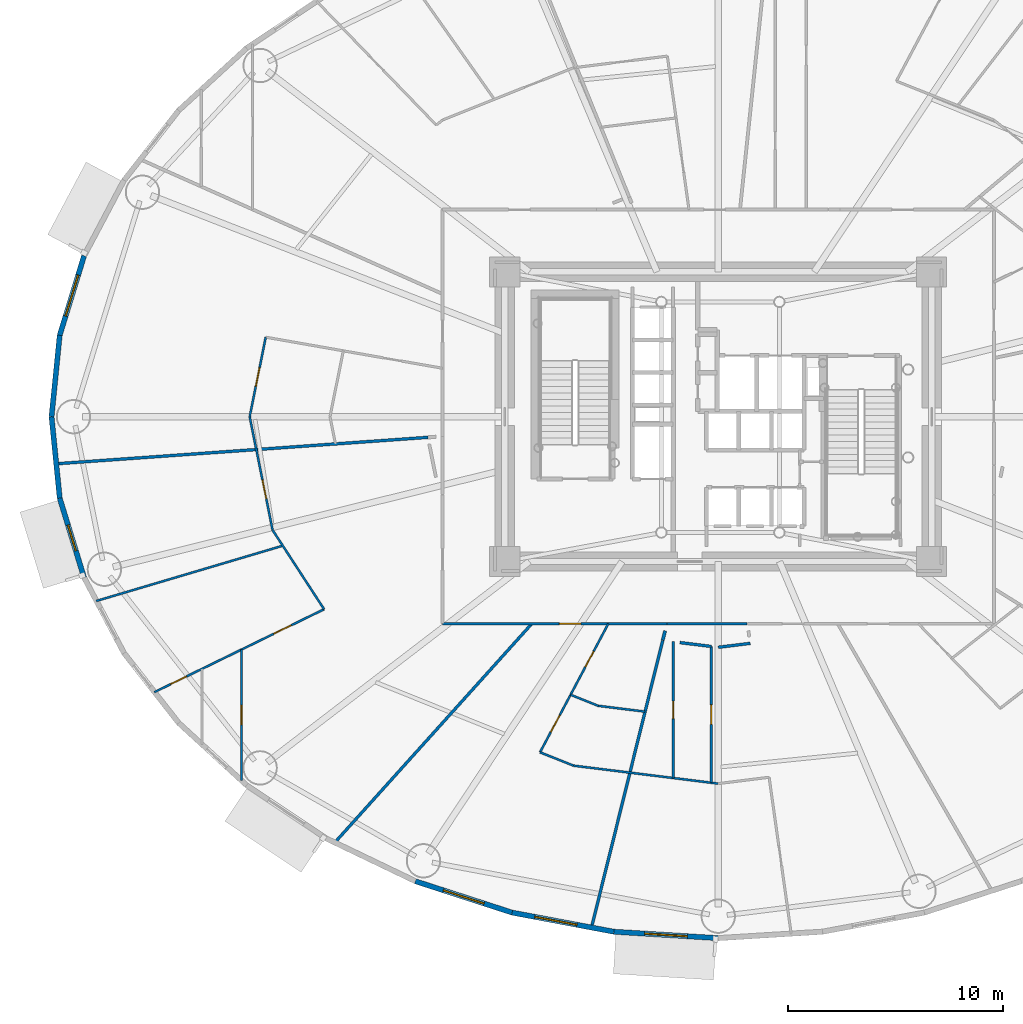
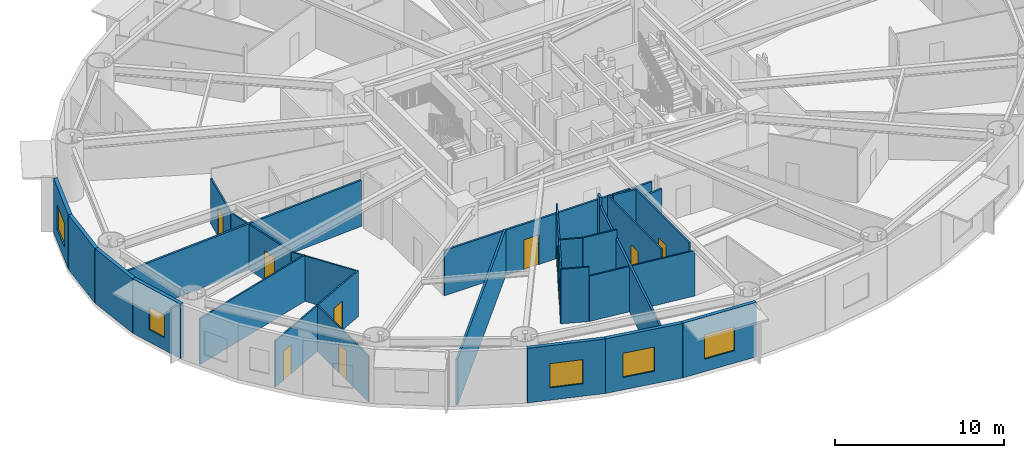
# One storey, part 8 of 21: 29 walls, 10 doors, 5 windows, 15 openings.
"""IFC4 building model written with IfcOpenShell, lengths in metres."""

from ifc_helpers import new_model, si_unit, direction, frame, frame_2d, origin, origin_2d, place, context, subcontext, project, spatial, rectangle, extrude, source, transform, mapped, material, layer, layer_set, type_object, element, fill, save


model = new_model("IFC4")

# Units and contexts
model_context = context("Model", 3, precision=1e-05, world=origin(), true_north=direction((0.0, 1.0)))
body_context = subcontext(model_context, "Body", "Model", "MODEL_VIEW")
ifc_project = project(units=[si_unit("LENGTHUNIT", "METRE"), si_unit("AREAUNIT", "SQUARE_METRE"), si_unit("VOLUMEUNIT", "CUBIC_METRE"), si_unit("PLANEANGLEUNIT", "RADIAN"), si_unit("MASSUNIT", "GRAM", prefix="KILO")], contexts=[model_context])

# Site, building, storey
site_placement = place(None, origin())
site = spatial("IfcSite", under=ifc_project, at=site_placement, CompositionType="ELEMENT")
building_placement = place(site_placement, origin())
building = spatial("IfcBuilding", under=site, at=building_placement, Name="Linh Dai School and Residence Tower", CompositionType="ELEMENT")
storey_placement = place(building_placement, frame((0.0, 0.0, 61.800048828125)))
storey = spatial("IfcBuildingStorey", under=building, at=storey_placement, Name="L14", CompositionType="ELEMENT", Elevation=61.800048828125)

# Wall, opening, window
ifc_material_1 = material(Name="Precast Concrete B45 (C35/45)", Category="concrete")
ifc_layer_1 = layer(ifc_material_1, 0.239990234375)
ifc_layer_set_1 = layer_set([ifc_layer_1], Name="Precast Concrete B45 (C35/45)")
wall_type_1 = type_object("IfcWallType", Name="EW-TC-240", PredefinedType="SOLIDWALL", material=ifc_layer_set_1)
wall_1_placement = place(storey_placement, frame((5.306640625, 30.796875, 0.0), z_axis=(0.0, 0.0, 1.0), x_axis=(0.293111631758, 0.956078224482, 0.0)))
wall_1 = element("IfcWall", 1, at=wall_1_placement, inside=storey, type_object=wall_type_1, Name="L14 Terracotta Exterior Wall 19", PredefinedType="SOLIDWALL", context=body_context, shape_type="SweptSolid", body=[
    extrude(rectangle(XDim=3.874755859375, YDim=0.239990234375, at=frame_2d((1.9375, 0.0))), origin(), (0.0, 0.0, 1.0), 3.949951171875),
])
opening_1_placement = place(wall_1_placement, frame((0.9375, 0.0, 0.89990234375)))
opening_1 = element("IfcOpeningElement", 2, at=opening_1_placement, cuts=wall_1, Name="Opening W1", PredefinedType="OPENING", context=body_context, shape_type="SweptSolid", body=[
    extrude(rectangle(XDim=2.0, YDim=1.75, at=origin_2d()), frame((1.0, 0.1298828125, 0.875), z_axis=(0.0, -1.0, 0.0), x_axis=(1.0, 0.0, 0.0)), (0.0, 0.0, 1.0), 0.260009765625),
])
ifc_material_2 = material(Name="Double Low-E Insulated Glazing", Category="glass")
window_type_1 = type_object("IfcWindowType", Name="WN-RES-2000x1750", PartitioningType="DOUBLE_PANEL_VERTICAL", PredefinedType="WINDOW", material=ifc_material_2)
shared_shape_1 = source(origin(), body_context, "Body", "SweptSolid", [
    extrude(rectangle(XDim=2.0, YDim=1.75, at=origin_2d()), frame((1.0, 0.030029296875, 0.875), z_axis=(0.0, -1.0, 0.0), x_axis=(1.0, 0.0, 0.0)), (0.0, 0.0, 1.0), 0.06005859375),
])
window_1_placement = place(opening_1_placement, origin())
window_1 = element("IfcWindow", 3, at=window_1_placement, inside=storey, type_object=window_type_1, Name="L14 Exterior Window 19.1", OverallHeight=1.75, OverallWidth=2.0, PartitioningType="DOUBLE_PANEL_VERTICAL", PredefinedType="WINDOW", context=body_context, shape_type="MappedRepresentation", body=[
    mapped(shared_shape_1, transform((0.0, 0.0, 0.0), x_axis=(1.0, 0.0, 0.0), y_axis=(0.0, 1.0, 0.0), z_axis=(0.0, 0.0, 1.0), scale=1.0)),
])
fill(opening_1, window_1)

# Walls
for number, where, z_axis, x_axis, name in (
    (4, (4.925048828125, 27.0, 0.0), (0.0, 0.0, 1.0), (0.099997795174, 0.994987658698, 0.0), "L14 Terracotta Exterior Wall 20"),
    (5, (5.306640625, 23.203125, 0.0), (0.0, 0.0, 1.0), (-0.099997795174, 0.994987658698, 0.0), "L14 Terracotta Exterior Wall 21"),
):
    element("IfcWall", number, at=place(storey_placement, frame(where, z_axis=z_axis, x_axis=x_axis)), inside=storey, type_object=wall_type_1, Name=name, PredefinedType="SOLIDWALL", context=body_context, shape_type="SweptSolid", body=[
        extrude(rectangle(XDim=3.81591796875, YDim=0.239990234375, at=frame_2d((1.907958984375, 0.0))), origin(), (0.0, 0.0, 1.0), 3.949951171875),
    ])

# Wall, opening, window
wall_2_placement = place(storey_placement, frame((6.4423828125, 19.49853515625, 0.0), z_axis=(0.0, 0.0, 1.0), x_axis=(-0.293111631758, 0.956078224482, 0.0)))
wall_2 = element("IfcWall", 6, at=wall_2_placement, inside=storey, type_object=wall_type_1, Name="L14 Terracotta Exterior Wall 22", PredefinedType="SOLIDWALL", context=body_context, shape_type="SweptSolid", body=[
    extrude(rectangle(XDim=3.874755859375, YDim=0.239990234375, at=frame_2d((1.9375, 0.0))), origin(), (0.0, 0.0, 1.0), 3.949951171875),
])
opening_2_placement = place(wall_2_placement, frame((1.312255859375, 0.0, 0.89990234375)))
opening_2 = element("IfcOpeningElement", 7, at=opening_2_placement, cuts=wall_2, Name="Opening W3", PredefinedType="OPENING", context=body_context, shape_type="SweptSolid", body=[
    extrude(rectangle(XDim=1.25, YDim=1.64990234375, at=origin_2d()), frame((0.625, 0.1298828125, 0.824951171875), z_axis=(0.0, -1.0, 0.0), x_axis=(1.0, 0.0, 0.0)), (0.0, 0.0, 1.0), 0.260009765625),
])
window_type_2 = type_object("IfcWindowType", Name="WN-RES-1250x1650", PartitioningType="SINGLE_PANEL", PredefinedType="WINDOW", material=ifc_material_2)
shared_shape_2 = source(origin(), body_context, "Body", "SweptSolid", [
    extrude(rectangle(XDim=1.25, YDim=1.64990234375, at=origin_2d()), frame((0.625, 0.030029296875, 0.824951171875), z_axis=(0.0, -1.0, 0.0), x_axis=(1.0, 0.0, 0.0)), (0.0, 0.0, 1.0), 0.06005859375),
])
window_2_placement = place(opening_2_placement, origin())
window_2 = element("IfcWindow", 8, at=window_2_placement, inside=storey, type_object=window_type_2, Name="L14 Dwelling Window U1406-BD1", OverallHeight=1.64990234375, OverallWidth=1.25, PartitioningType="SINGLE_PANEL", PredefinedType="WINDOW", context=body_context, shape_type="MappedRepresentation", body=[
    mapped(shared_shape_2, transform((0.0, 0.0, 0.0), x_axis=(1.0, 0.0, 0.0), y_axis=(0.0, 1.0, 0.0), z_axis=(0.0, 0.0, 1.0), scale=1.0)),
])
fill(opening_2, window_2)

wall_3_placement = place(storey_placement, frame((26.389404296875, 3.88671875, 0.0), z_axis=(0.0, 0.0, 1.0), x_axis=(-0.951207699013, 0.308551313946, 0.0)))
wall_3 = element("IfcWall", 9, at=wall_3_placement, inside=storey, type_object=wall_type_1, Name="L14 Terracotta Exterior Wall 28", PredefinedType="SOLIDWALL", context=body_context, shape_type="SweptSolid", body=[
    extrude(rectangle(XDim=4.73876953125, YDim=0.239990234375, at=frame_2d((2.369384765625, 0.0))), origin(), (0.0, 0.0, 1.0), 3.949951171875),
])
opening_3_placement = place(wall_3_placement, frame((1.369384765625, 0.0, 0.89990234375)))
opening_3 = element("IfcOpeningElement", 10, at=opening_3_placement, cuts=wall_3, Name="Opening W1", PredefinedType="OPENING", context=body_context, shape_type="SweptSolid", body=[
    extrude(rectangle(XDim=2.0, YDim=1.75, at=origin_2d()), frame((1.0, 0.1298828125, 0.875), z_axis=(0.0, -1.0, 0.0), x_axis=(1.0, 0.0, 0.0)), (0.0, 0.0, 1.0), 0.260009765625),
])
window_3_placement = place(opening_3_placement, origin())
window_3 = element("IfcWindow", 11, at=window_3_placement, inside=storey, type_object=window_type_1, Name="L14 Exterior Window 28.1", OverallHeight=1.75, OverallWidth=2.0, PartitioningType="DOUBLE_PANEL_VERTICAL", PredefinedType="WINDOW", context=body_context, shape_type="MappedRepresentation", body=[
    mapped(shared_shape_1, transform((0.0, 0.0, 0.0), x_axis=(1.0, 0.0, 0.0), y_axis=(0.0, 1.0, 0.0), z_axis=(0.0, 0.0, 1.0), scale=1.0)),
])
fill(opening_3, window_3)

wall_4_placement = place(storey_placement, frame((31.134521484375, 2.994873046875, 0.0), z_axis=(0.0, 0.0, 1.0), x_axis=(-0.982791952378, 0.184715939598, 0.0)))
wall_4 = element("IfcWall", 12, at=wall_4_placement, inside=storey, type_object=wall_type_1, Name="L14 Terracotta Exterior Wall 29", PredefinedType="SOLIDWALL", context=body_context, shape_type="SweptSolid", body=[
    extrude(rectangle(XDim=4.828125, YDim=0.239990234375, at=frame_2d((2.4140625, 0.0))), origin(), (0.0, 0.0, 1.0), 3.949951171875),
])
opening_4_placement = place(wall_4_placement, frame((1.746337890625, 0.0, 0.89990234375)))
opening_4 = element("IfcOpeningElement", 13, at=opening_4_placement, cuts=wall_4, Name="Opening W1", PredefinedType="OPENING", context=body_context, shape_type="SweptSolid", body=[
    extrude(rectangle(XDim=2.0, YDim=1.75, at=origin_2d()), frame((1.0, 0.1298828125, 0.875), z_axis=(0.0, -1.0, 0.0), x_axis=(1.0, 0.0, 0.0)), (0.0, 0.0, 1.0), 0.260009765625),
])
window_4_placement = place(opening_4_placement, origin())
window_4 = element("IfcWindow", 14, at=window_4_placement, inside=storey, type_object=window_type_1, Name="L14 Exterior Window 29.1", OverallHeight=1.75, OverallWidth=2.0, PartitioningType="DOUBLE_PANEL_VERTICAL", PredefinedType="WINDOW", context=body_context, shape_type="MappedRepresentation", body=[
    mapped(shared_shape_1, transform((0.0, 0.0, 0.0), x_axis=(1.0, 0.0, 0.0), y_axis=(0.0, 1.0, 0.0), z_axis=(0.0, 0.0, 1.0), scale=1.0)),
])
fill(opening_4, window_4)

wall_5_placement = place(storey_placement, frame((36.0, 2.695068359375, 0.0), z_axis=(0.0, 0.0, 1.0), x_axis=(-0.998106954071, 0.061502099433, 0.0)))
wall_5 = element("IfcWall", 15, at=wall_5_placement, inside=storey, type_object=wall_type_1, Name="L14 Terracotta Exterior Wall 30", PredefinedType="SOLIDWALL", context=body_context, shape_type="SweptSolid", body=[
    extrude(rectangle(XDim=4.874755859375, YDim=0.239990234375, at=frame_2d((2.4375, 0.0))), origin(), (0.0, 0.0, 1.0), 3.949951171875),
])
opening_5_placement = place(wall_5_placement, frame((1.437255859375, 0.0, 0.89990234375)))
opening_5 = element("IfcOpeningElement", 16, at=opening_5_placement, cuts=wall_5, Name="Opening W1", PredefinedType="OPENING", context=body_context, shape_type="SweptSolid", body=[
    extrude(rectangle(XDim=2.0, YDim=1.75, at=origin_2d()), frame((1.0, 0.1298828125, 0.875), z_axis=(0.0, -1.0, 0.0), x_axis=(1.0, 0.0, 0.0)), (0.0, 0.0, 1.0), 0.260009765625),
])
window_5_placement = place(opening_5_placement, origin())
window_5 = element("IfcWindow", 17, at=window_5_placement, inside=storey, type_object=window_type_1, Name="L14 Exterior Window 30.1", OverallHeight=1.75, OverallWidth=2.0, PartitioningType="DOUBLE_PANEL_VERTICAL", PredefinedType="WINDOW", context=body_context, shape_type="MappedRepresentation", body=[
    mapped(shared_shape_1, transform((0.0, 0.0, 0.0), x_axis=(1.0, 0.0, 0.0), y_axis=(0.0, 1.0, 0.0), z_axis=(0.0, 0.0, 1.0), scale=1.0)),
])
fill(opening_5, window_5)

# Walls
ifc_material_3 = material(Name="Autoclaved Aerated Concrete Blockwork", Category="masonry")
ifc_layer_2 = layer(ifc_material_3, 0.135009765625)
ifc_layer_set_2 = layer_set([ifc_layer_2], Name="Autoclaved Aerated Concrete Blockwork")
wall_type_2 = type_object("IfcWallType", Name="IW-CORR-135-EI90", PredefinedType="PARTITIONING", material=ifc_layer_set_2)
wall_6_placement = place(storey_placement, frame((5.140625, 24.805419921875, 0.0), z_axis=(0.0, 0.0, 1.0), x_axis=(0.99748069861, 0.070938395112, 0.0)))
element("IfcWall", 18, at=wall_6_placement, inside=storey, type_object=wall_type_2, Name="L14 Interior Partition Wall 001", PredefinedType="PARTITIONING", context=body_context, shape_type="SweptSolid", body=[
    extrude(rectangle(XDim=17.36962890625, YDim=0.135009765625, at=frame_2d((8.684814453125, 0.0))), origin(), (0.0, 0.0, 1.0), 3.3349609375),
])
wall_7_placement = place(storey_placement, frame((18.123779296875, 7.146484375, 0.0), z_axis=(0.0, 0.0, 1.0), x_axis=(0.669125827692, 0.743149128181, 0.0)))
element("IfcWall", 19, at=wall_7_placement, inside=storey, type_object=wall_type_2, Name="L14 Interior Partition Wall 016", PredefinedType="PARTITIONING", context=body_context, shape_type="SweptSolid", body=[
    extrude(rectangle(XDim=13.730224609375, YDim=0.135009765625, at=frame_2d((6.865234375, 0.0))), origin(), (0.0, 0.0, 1.0), 3.3349609375),
])

# Wall, opening, door
wall_8_placement = place(storey_placement, frame((23.14990234375, 17.35009765625, 0.0), z_axis=(0.0, 0.0, 1.0), x_axis=(1.0, 0.0, 0.0)))
wall_8 = element("IfcWall", 20, at=wall_8_placement, inside=storey, type_object=wall_type_2, Name="L14 Interior Partition Wall 020", PredefinedType="PARTITIONING", context=body_context, shape_type="SweptSolid", body=[
    extrude(rectangle(XDim=10.456298828125, YDim=0.135009765625, at=frame_2d((5.22802734375, 0.0))), origin(), (0.0, 0.0, 1.0), 3.284912109375),
])
opening_6_placement = place(wall_8_placement, frame((5.443603515625, 0.0, 0.0)))
opening_6 = element("IfcOpeningElement", 21, at=opening_6_placement, cuts=wall_8, Name="Opening D03", PredefinedType="OPENING", context=body_context, shape_type="SweptSolid", body=[
    extrude(rectangle(XDim=1.0, YDim=2.14990234375, at=origin_2d()), frame((0.5, 0.07763671875, 1.074951171875), z_axis=(0.0, -1.0, 0.0), x_axis=(1.0, 0.0, 0.0)), (0.0, 0.0, 1.0), 0.155029296875),
])
ifc_material_4 = material(Name="Fire-Rated Solid Timber Entrance Door", Category="wood")
door_type_1 = type_object("IfcDoorType", Name="DR-FLAT-1000x2150-FD60S", OperationType="NOTDEFINED", PredefinedType="DOOR", material=ifc_material_4)
shared_shape_3 = source(origin(), body_context, "Body", "SweptSolid", [
    extrude(rectangle(XDim=1.0, YDim=2.14990234375, at=origin_2d()), frame((0.5, 0.02490234375, 1.074951171875), z_axis=(0.0, -1.0, 0.0), x_axis=(1.0, 0.0, 0.0)), (0.0, 0.0, 1.0), 0.050048828125),
])
door_1_placement = place(opening_6_placement, origin())
door_1 = element("IfcDoor", 22, at=door_1_placement, inside=storey, type_object=door_type_1, Name="L14 U1407 Apartment Entrance Door", OperationType="SINGLE_SWING_LEFT", OverallHeight=2.14990234375, OverallWidth=1.0, PredefinedType="DOOR", context=body_context, shape_type="MappedRepresentation", body=[
    mapped(shared_shape_3, transform((0.0, 0.0, 0.0), x_axis=(1.0, 0.0, 0.0), y_axis=(0.0, 1.0, 0.0), z_axis=(0.0, 0.0, 1.0), scale=1.0)),
])
fill(opening_6, door_1)

# Walls
wall_9_placement = place(storey_placement, frame((30.09228515625, 3.185791015625, 0.0), z_axis=(0.0, 0.0, 1.0), x_axis=(0.240785833135, 0.970578272249, 0.0)))
element("IfcWall", 23, at=wall_9_placement, inside=storey, type_object=wall_type_2, Name="L14 Interior Partition Wall 032", PredefinedType="PARTITIONING", context=body_context, shape_type="SweptSolid", body=[
    extrude(rectangle(XDim=13.79150390625, YDim=0.135009765625, at=frame_2d((6.895751953125, 0.0))), origin(), (0.0, 0.0, 1.0), 3.3349609375),
])
wall_10_placement = place(storey_placement, frame((37.35205078125, 17.35009765625, 0.0), z_axis=(0.0, 0.0, 1.0), x_axis=(-1.0, 0.0, 0.0)))
element("IfcWall", 24, at=wall_10_placement, inside=storey, type_object=wall_type_2, Name="L14 Interior Partition Wall 117", PredefinedType="PARTITIONING", context=body_context, shape_type="SweptSolid", body=[
    extrude(rectangle(XDim=3.73583984375, YDim=0.135009765625, at=frame_2d((1.867919921875, 0.0))), origin(), (0.0, 0.0, 1.0), 3.284912109375),
])
wall_11_placement = place(storey_placement, frame((36.0, 16.250732421875, 0.0), z_axis=(0.0, 0.0, 1.0), x_axis=(0.992387468615, 0.12315482993, 0.0)))
element("IfcWall", 25, at=wall_11_placement, inside=storey, type_object=wall_type_2, Name="L14 Interior Partition Wall 132", PredefinedType="PARTITIONING", context=body_context, shape_type="SweptSolid", body=[
    extrude(rectangle(XDim=1.502685546875, YDim=0.135009765625, at=frame_2d((0.75146484375, 0.0))), origin(), (0.0, 0.0, 1.0), 3.284912109375),
])
wall_12_placement = place(storey_placement, frame((34.211181640625, 16.47265625, 0.0), z_axis=(0.0, 0.0, 1.0), x_axis=(0.992399537087, -0.123057542599, 0.0)))
element("IfcWall", 26, at=wall_12_placement, inside=storey, type_object=wall_type_2, Name="L14 Interior Partition Wall 134", PredefinedType="PARTITIONING", context=body_context, shape_type="SweptSolid", body=[
    extrude(rectangle(XDim=1.47607421875, YDim=0.135009765625, at=frame_2d((0.738037109375, 0.0))), origin(), (0.0, 0.0, 1.0), 3.949951171875),
])
ifc_layer_3 = layer(ifc_material_3, 0.14990234375)
ifc_layer_set_3 = layer_set([ifc_layer_3], Name="Autoclaved Aerated Concrete Blockwork")
wall_type_3 = type_object("IfcWallType", Name="IW-SCH-150-EI60", PredefinedType="PARTITIONING", material=ifc_layer_set_3)
wall_13_placement = place(storey_placement, frame((33.52490234375, 17.0224609375, 0.0), z_axis=(0.0, 0.0, 1.0), x_axis=(-0.24063936861, -0.970614596158, 0.0)))
element("IfcWall", 27, at=wall_13_placement, inside=storey, type_object=wall_type_3, Name="L14 Interior Partition Wall 131", PredefinedType="PARTITIONING", context=body_context, shape_type="SweptSolid", body=[
    extrude(rectangle(XDim=0.45458984375, YDim=0.14990234375, at=frame_2d((0.227294921875, 0.0))), origin(), (0.0, 0.0, 1.0), 3.949951171875),
])
ifc_material_5 = material(Name="Gypsum Plasterboard Acoustic Stud Partition", Category="masonry")
ifc_layer_4 = layer(ifc_material_5, 0.10009765625)
ifc_layer_set_4 = layer_set([ifc_layer_4], Name="Gypsum Plasterboard Acoustic Stud Partition")
wall_type_4 = type_object("IfcWallType", Name="IW-UNIT-100", PredefinedType="PARTITIONING", material=ifc_layer_set_4)
wall_14_placement = place(storey_placement, frame((7.012451171875, 18.410888671875, 0.0), z_axis=(0.0, 0.0, 1.0), x_axis=(0.958797025861, 0.284091997775, 0.0)))
element("IfcWall", 28, at=wall_14_placement, inside=storey, type_object=wall_type_4, Name="L14 Interior Partition Wall 002", PredefinedType="PARTITIONING", context=body_context, shape_type="SweptSolid", body=[
    extrude(rectangle(XDim=9.064697265625, YDim=0.10009765625, at=frame_2d((4.5322265625, 0.0))), origin(), (0.0, 0.0, 1.0), 3.3349609375),
])

# Wall, openings, doors
wall_15_placement = place(storey_placement, frame((9.71923828125, 14.16259765625, 0.0), z_axis=(0.0, 0.0, 1.0), x_axis=(0.898526567573, 0.438919135339, 0.0)))
wall_15 = element("IfcWall", 29, at=wall_15_placement, inside=storey, type_object=wall_type_4, Name="L14 Interior Partition Wall 004", PredefinedType="PARTITIONING", context=body_context, shape_type="SweptSolid", body=[
    extrude(rectangle(XDim=8.803466796875, YDim=0.10009765625, at=frame_2d((4.40185546875, 0.0))), origin(), (0.0, 0.0, 1.0), 3.3349609375),
])
opening_7_placement = place(wall_15_placement, frame((6.19140625, 0.0, 0.0)))
opening_7 = element("IfcOpeningElement", 30, at=opening_7_placement, cuts=wall_15, Name="Opening D05", PredefinedType="OPENING", context=body_context, shape_type="SweptSolid", body=[
    extrude(rectangle(XDim=0.89990234375, YDim=2.10009765625, at=origin_2d()), frame((0.449951171875, 0.06005859375, 1.050048828125), z_axis=(0.0, -1.0, 0.0), x_axis=(1.0, 0.0, 0.0)), (0.0, 0.0, 1.0), 0.1201171875),
])
opening_8_placement = place(wall_15_placement, frame((0.843017578125, 0.0, 0.0)))
opening_8 = element("IfcOpeningElement", 31, at=opening_8_placement, cuts=wall_15, Name="Opening D06", PredefinedType="OPENING", context=body_context, shape_type="SweptSolid", body=[
    extrude(rectangle(XDim=0.820068359375, YDim=2.10009765625, at=origin_2d()), frame((0.41015625, 0.06005859375, 1.050048828125), z_axis=(0.0, -1.0, 0.0), x_axis=(1.0, 0.0, 0.0)), (0.0, 0.0, 1.0), 0.1201171875),
])
ifc_material_6 = material(Name="Moisture-Resistant Timber Bathroom Door", Category="wood")
door_type_2 = type_object("IfcDoorType", Name="DR-WET-820x2100", OperationType="NOTDEFINED", PredefinedType="DOOR", material=ifc_material_6)
shared_shape_4 = source(origin(), body_context, "Body", "SweptSolid", [
    extrude(rectangle(XDim=0.820068359375, YDim=2.10009765625, at=origin_2d()), frame((0.41015625, 0.02490234375, 1.050048828125), z_axis=(0.0, -1.0, 0.0), x_axis=(1.0, 0.0, 0.0)), (0.0, 0.0, 1.0), 0.050048828125),
])
door_2_placement = place(opening_8_placement, origin())
door_2 = element("IfcDoor", 32, at=door_2_placement, inside=storey, type_object=door_type_2, Name="L14 Apartment U1406 Bathroom 1 Door", OperationType="SINGLE_SWING_LEFT", OverallHeight=2.10009765625, OverallWidth=0.820068359375, PredefinedType="DOOR", context=body_context, shape_type="MappedRepresentation", body=[
    mapped(shared_shape_4, transform((0.0, 0.0, 0.0), x_axis=(1.0, 0.0, 0.0), y_axis=(0.0, 1.0, 0.0), z_axis=(0.0, 0.0, 1.0), scale=1.0)),
])
fill(opening_8, door_2)
ifc_material_7 = material(Name="Engineered Timber Internal Door", Category="wood")
door_type_3 = type_object("IfcDoorType", Name="DR-INT-900x2100", OperationType="NOTDEFINED", PredefinedType="DOOR", material=ifc_material_7)
shared_shape_5 = source(origin(), body_context, "Body", "SweptSolid", [
    extrude(rectangle(XDim=0.89990234375, YDim=2.10009765625, at=origin_2d()), frame((0.449951171875, 0.02490234375, 1.050048828125), z_axis=(0.0, -1.0, 0.0), x_axis=(1.0, 0.0, 0.0)), (0.0, 0.0, 1.0), 0.050048828125),
])
door_3_placement = place(opening_7_placement, origin())
door_3 = element("IfcDoor", 33, at=door_3_placement, inside=storey, type_object=door_type_3, Name="L14 Apartment U1406 Private Salon Door", OperationType="SINGLE_SWING_RIGHT", OverallHeight=2.10009765625, OverallWidth=0.89990234375, PredefinedType="DOOR", context=body_context, shape_type="MappedRepresentation", body=[
    mapped(shared_shape_5, transform((0.0, 0.0, 0.0), x_axis=(1.0, 0.0, 0.0), y_axis=(0.0, 1.0, 0.0), z_axis=(0.0, 0.0, 1.0), scale=1.0)),
])
fill(opening_7, door_3)

# Wall, opening, door
wall_16_placement = place(storey_placement, frame((13.780029296875, 10.03271484375, 0.0), z_axis=(0.0, 0.0, 1.0), x_axis=(0.0, 1.0, 0.0)))
wall_16 = element("IfcWall", 34, at=wall_16_placement, inside=storey, type_object=wall_type_4, Name="L14 Interior Partition Wall 007", PredefinedType="PARTITIONING", context=body_context, shape_type="SweptSolid", body=[
    extrude(rectangle(XDim=6.113525390625, YDim=0.10009765625, at=frame_2d((3.056640625, 0.0))), origin(), (0.0, 0.0, 1.0), 3.3349609375),
])
opening_9_placement = place(wall_16_placement, frame((2.606689453125, 0.0, 0.0)))
opening_9 = element("IfcOpeningElement", 35, at=opening_9_placement, cuts=wall_16, Name="Opening D05", PredefinedType="OPENING", context=body_context, shape_type="SweptSolid", body=[
    extrude(rectangle(XDim=0.89990234375, YDim=2.10009765625, at=origin_2d()), frame((0.449951171875, 0.06005859375, 1.050048828125), z_axis=(0.0, -1.0, 0.0), x_axis=(1.0, 0.0, 0.0)), (0.0, 0.0, 1.0), 0.1201171875),
])
door_4_placement = place(opening_9_placement, origin())
door_4 = element("IfcDoor", 36, at=door_4_placement, inside=storey, type_object=door_type_3, Name="L14 Apartment U1406 Kitchen Door", OperationType="SINGLE_SWING_RIGHT", OverallHeight=2.10009765625, OverallWidth=0.89990234375, PredefinedType="DOOR", context=body_context, shape_type="MappedRepresentation", body=[
    mapped(shared_shape_5, transform((0.0, 0.0, 0.0), x_axis=(1.0, 0.0, 0.0), y_axis=(0.0, 1.0, 0.0), z_axis=(0.0, 0.0, 1.0), scale=1.0)),
])
fill(opening_9, door_4)

wall_17_placement = place(storey_placement, frame((14.159912109375, 27.0, 0.0), z_axis=(0.0, 0.0, 1.0), x_axis=(0.198288618329, 0.980143675101, 0.0)))
wall_17 = element("IfcWall", 37, at=wall_17_placement, inside=storey, type_object=wall_type_4, Name="L14 Interior Partition Wall 008", PredefinedType="PARTITIONING", context=body_context, shape_type="SweptSolid", body=[
    extrude(rectangle(XDim=3.78125, YDim=0.10009765625, at=frame_2d((1.890625, 0.0))), origin(), (0.0, 0.0, 1.0), 3.284912109375),
])
opening_10_placement = place(wall_17_placement, frame((1.4404296875, 0.0, 0.0)))
opening_10 = element("IfcOpeningElement", 38, at=opening_10_placement, cuts=wall_17, Name="Opening D05", PredefinedType="OPENING", context=body_context, shape_type="SweptSolid", body=[
    extrude(rectangle(XDim=0.89990234375, YDim=2.10009765625, at=origin_2d()), frame((0.449951171875, 0.06005859375, 1.050048828125), z_axis=(0.0, -1.0, 0.0), x_axis=(1.0, 0.0, 0.0)), (0.0, 0.0, 1.0), 0.1201171875),
])
door_5_placement = place(opening_10_placement, origin())
door_5 = element("IfcDoor", 39, at=door_5_placement, inside=storey, type_object=door_type_3, Name="L14 Apartment U1405 Kitchen Door", OperationType="SINGLE_SWING_LEFT", OverallHeight=2.10009765625, OverallWidth=0.89990234375, PredefinedType="DOOR", context=body_context, shape_type="MappedRepresentation", body=[
    mapped(shared_shape_5, transform((0.0, 0.0, 0.0), x_axis=(1.0, 0.0, 0.0), y_axis=(0.0, 1.0, 0.0), z_axis=(0.0, 0.0, 1.0), scale=1.0)),
])
fill(opening_10, door_5)

wall_18_placement = place(storey_placement, frame((14.159912109375, 27.0, 0.0), z_axis=(0.0, 0.0, 1.0), x_axis=(0.198292702032, -0.980142848936, 0.0)))
wall_18 = element("IfcWall", 40, at=wall_18_placement, inside=storey, type_object=wall_type_4, Name="L14 Interior Partition Wall 009", PredefinedType="PARTITIONING", context=body_context, shape_type="SweptSolid", body=[
    extrude(rectangle(XDim=5.3916015625, YDim=0.10009765625, at=frame_2d((2.69580078125, 0.0))), origin(), (0.0, 0.0, 1.0), 3.284912109375),
])
opening_11_placement = place(wall_18_placement, frame((3.0068359375, 0.0, 0.0)))
opening_11 = element("IfcOpeningElement", 41, at=opening_11_placement, cuts=wall_18, Name="Opening D05", PredefinedType="OPENING", context=body_context, shape_type="SweptSolid", body=[
    extrude(rectangle(XDim=0.89990234375, YDim=2.10009765625, at=origin_2d()), frame((0.449951171875, 0.06005859375, 1.050048828125), z_axis=(0.0, -1.0, 0.0), x_axis=(1.0, 0.0, 0.0)), (0.0, 0.0, 1.0), 0.1201171875),
])
door_6_placement = place(opening_11_placement, origin())
door_6 = element("IfcDoor", 42, at=door_6_placement, inside=storey, type_object=door_type_3, Name="L14 Apartment U1406 Principal Bedroom 1 Door", OperationType="SINGLE_SWING_LEFT", OverallHeight=2.10009765625, OverallWidth=0.89990234375, PredefinedType="DOOR", context=body_context, shape_type="MappedRepresentation", body=[
    mapped(shared_shape_5, transform((0.0, 0.0, 0.0), x_axis=(1.0, 0.0, 0.0), y_axis=(0.0, 1.0, 0.0), z_axis=(0.0, 0.0, 1.0), scale=1.0)),
])
fill(opening_11, door_6)

# Wall
wall_19_placement = place(storey_placement, frame((15.22900390625, 21.715576171875, 0.0), z_axis=(0.0, 0.0, 1.0), x_axis=(0.545423102052, -0.838160867464, 0.0)))
element("IfcWall", 43, at=wall_19_placement, inside=storey, type_object=wall_type_4, Name="L14 Interior Partition Wall 012", PredefinedType="PARTITIONING", context=body_context, shape_type="SweptSolid", body=[
    extrude(rectangle(XDim=4.40087890625, YDim=0.10009765625, at=frame_2d((2.200439453125, 0.0))), origin(), (0.0, 0.0, 1.0), 3.284912109375),
])

# Wall, opening, door
wall_20_placement = place(storey_placement, frame((27.6943359375, 11.35693359375, 0.0), z_axis=(0.0, 0.0, 1.0), x_axis=(0.468918098925, 0.883241652381, 0.0)))
wall_20 = element("IfcWall", 44, at=wall_20_placement, inside=storey, type_object=wall_type_4, Name="L14 Interior Partition Wall 026", PredefinedType="PARTITIONING", context=body_context, shape_type="SweptSolid", body=[
    extrude(rectangle(XDim=3.036376953125, YDim=0.10009765625, at=frame_2d((1.51806640625, 0.0))), origin(), (0.0, 0.0, 1.0), 3.949951171875),
])
opening_12_placement = place(wall_20_placement, frame((1.068115234375, 0.0, 0.0)))
opening_12 = element("IfcOpeningElement", 45, at=opening_12_placement, cuts=wall_20, Name="Opening D05", PredefinedType="OPENING", context=body_context, shape_type="SweptSolid", body=[
    extrude(rectangle(XDim=0.89990234375, YDim=2.10009765625, at=origin_2d()), frame((0.449951171875, 0.06005859375, 1.050048828125), z_axis=(0.0, -1.0, 0.0), x_axis=(1.0, 0.0, 0.0)), (0.0, 0.0, 1.0), 0.1201171875),
])
door_7_placement = place(opening_12_placement, origin())
door_7 = element("IfcDoor", 46, at=door_7_placement, inside=storey, type_object=door_type_3, Name="L14 Apartment U1407 Kitchen Door", OperationType="SINGLE_SWING_LEFT", OverallHeight=2.10009765625, OverallWidth=0.89990234375, PredefinedType="DOOR", context=body_context, shape_type="MappedRepresentation", body=[
    mapped(shared_shape_5, transform((0.0, 0.0, 0.0), x_axis=(1.0, 0.0, 0.0), y_axis=(0.0, 1.0, 0.0), z_axis=(0.0, 0.0, 1.0), scale=1.0)),
])
fill(opening_12, door_7)

# Walls
wall_21_placement = place(storey_placement, frame((27.6943359375, 11.35693359375, 0.0), z_axis=(0.0, 0.0, 1.0), x_axis=(0.928847957875, -0.370461160112, 0.0)))
element("IfcWall", 47, at=wall_21_placement, inside=storey, type_object=wall_type_4, Name="L14 Interior Partition Wall 027", PredefinedType="PARTITIONING", context=body_context, shape_type="SweptSolid", body=[
    extrude(rectangle(XDim=1.67578125, YDim=0.10009765625, at=frame_2d((0.837890625, 0.0))), origin(), (0.0, 0.0, 1.0), 3.949951171875),
])
wall_22_placement = place(storey_placement, frame((29.1181640625, 14.038818359375, 0.0), z_axis=(0.0, 0.0, 1.0), x_axis=(0.928791597639, -0.370602439489, 0.0)))
element("IfcWall", 48, at=wall_22_placement, inside=storey, type_object=wall_type_4, Name="L14 Interior Partition Wall 028", PredefinedType="PARTITIONING", context=body_context, shape_type="SweptSolid", body=[
    extrude(rectangle(XDim=1.388671875, YDim=0.10009765625, at=frame_2d((0.6943359375, 0.0))), origin(), (0.0, 0.0, 1.0), 3.949951171875),
])

# Wall, opening, door
wall_23_placement = place(storey_placement, frame((29.122802734375, 14.047607421875, 0.0), z_axis=(0.0, 0.0, 1.0), x_axis=(0.468940383898, 0.8832298208, 0.0)))
wall_23 = element("IfcWall", 49, at=wall_23_placement, inside=storey, type_object=wall_type_4, Name="L14 Interior Partition Wall 029", PredefinedType="PARTITIONING", context=body_context, shape_type="SweptSolid", body=[
    extrude(rectangle(XDim=3.739013671875, YDim=0.10009765625, at=frame_2d((1.86962890625, 0.0))), origin(), (0.0, 0.0, 1.0), 3.949951171875),
])
opening_13_placement = place(wall_23_placement, frame((1.459716796875, 0.0, 0.0)))
opening_13 = element("IfcOpeningElement", 50, at=opening_13_placement, cuts=wall_23, Name="Opening D06", PredefinedType="OPENING", context=body_context, shape_type="SweptSolid", body=[
    extrude(rectangle(XDim=0.820068359375, YDim=2.10009765625, at=origin_2d()), frame((0.41015625, 0.06005859375, 1.050048828125), z_axis=(0.0, -1.0, 0.0), x_axis=(1.0, 0.0, 0.0)), (0.0, 0.0, 1.0), 0.1201171875),
])
door_8_placement = place(opening_13_placement, origin())
door_8 = element("IfcDoor", 51, at=door_8_placement, inside=storey, type_object=door_type_2, Name="L14 Apartment U1407 Bathroom Door", OperationType="SINGLE_SWING_RIGHT", OverallHeight=2.10009765625, OverallWidth=0.820068359375, PredefinedType="DOOR", context=body_context, shape_type="MappedRepresentation", body=[
    mapped(shared_shape_4, transform((0.0, 0.0, 0.0), x_axis=(1.0, 0.0, 0.0), y_axis=(0.0, 1.0, 0.0), z_axis=(0.0, 0.0, 1.0), scale=1.0)),
])
fill(opening_13, door_8)

# Walls
wall_24_placement = place(storey_placement, frame((29.2509765625, 10.736083984375, 0.0), z_axis=(0.0, 0.0, 1.0), x_axis=(0.992394520877, -0.123097989151, 0.0)))
element("IfcWall", 52, at=wall_24_placement, inside=storey, type_object=wall_type_4, Name="L14 Interior Partition Wall 030", PredefinedType="PARTITIONING", context=body_context, shape_type="SweptSolid", body=[
    extrude(rectangle(XDim=6.80078125, YDim=0.10009765625, at=frame_2d((3.400390625, 0.0))), origin(), (0.0, 0.0, 1.0), 3.284912109375),
])
wall_25_placement = place(storey_placement, frame((30.407958984375, 13.524169921875, 0.0), z_axis=(0.0, 0.0, 1.0), x_axis=(0.992388521758, -0.123146343362, 0.0)))
element("IfcWall", 53, at=wall_25_placement, inside=storey, type_object=wall_type_4, Name="L14 Interior Partition Wall 033", PredefinedType="PARTITIONING", context=body_context, shape_type="SweptSolid", body=[
    extrude(rectangle(XDim=2.19873046875, YDim=0.10009765625, at=frame_2d((1.099365234375, 0.0))), origin(), (0.0, 0.0, 1.0), 3.949951171875),
])

# Wall, opening, door
wall_26_placement = place(storey_placement, frame((33.901123046875, 10.1591796875, 0.0), z_axis=(0.0, 0.0, 1.0), x_axis=(0.0, 1.0, 0.0)))
wall_26 = element("IfcWall", 54, at=wall_26_placement, inside=storey, type_object=wall_type_4, Name="L14 Interior Partition Wall 045", PredefinedType="PARTITIONING", context=body_context, shape_type="SweptSolid", body=[
    extrude(rectangle(XDim=6.351806640625, YDim=0.10009765625, at=frame_2d((3.17578125, 0.0))), origin(), (0.0, 0.0, 1.0), 3.949951171875),
])
opening_14_placement = place(wall_26_placement, frame((2.765869140625, 0.0, 0.0)))
opening_14 = element("IfcOpeningElement", 55, at=opening_14_placement, cuts=wall_26, Name="Opening D06", PredefinedType="OPENING", context=body_context, shape_type="SweptSolid", body=[
    extrude(rectangle(XDim=0.820068359375, YDim=2.10009765625, at=origin_2d()), frame((0.41015625, 0.06005859375, 1.050048828125), z_axis=(0.0, -1.0, 0.0), x_axis=(1.0, 0.0, 0.0)), (0.0, 0.0, 1.0), 0.1201171875),
])
door_9_placement = place(opening_14_placement, origin())
door_9 = element("IfcDoor", 56, at=door_9_placement, inside=storey, type_object=door_type_2, Name="L14 Apartment U1408 Bathroom 1 Door", OperationType="SINGLE_SWING_LEFT", OverallHeight=2.10009765625, OverallWidth=0.820068359375, PredefinedType="DOOR", context=body_context, shape_type="MappedRepresentation", body=[
    mapped(shared_shape_4, transform((0.0, 0.0, 0.0), x_axis=(1.0, 0.0, 0.0), y_axis=(0.0, 1.0, 0.0), z_axis=(0.0, 0.0, 1.0), scale=1.0)),
])
fill(opening_14, door_9)

wall_27_placement = place(storey_placement, frame((35.676025390625, 9.939208984375, 0.0), z_axis=(0.0, 0.0, 1.0), x_axis=(0.0, 1.0, 0.0)))
wall_27 = element("IfcWall", 57, at=wall_27_placement, inside=storey, type_object=wall_type_4, Name="L14 Interior Partition Wall 056", PredefinedType="PARTITIONING", context=body_context, shape_type="SweptSolid", body=[
    extrude(rectangle(XDim=6.351806640625, YDim=0.10009765625, at=frame_2d((3.17578125, 0.0))), origin(), (0.0, 0.0, 1.0), 3.949951171875),
])
opening_15_placement = place(wall_27_placement, frame((2.725830078125, 0.0, 0.0)))
opening_15 = element("IfcOpeningElement", 58, at=opening_15_placement, cuts=wall_27, Name="Opening D05", PredefinedType="OPENING", context=body_context, shape_type="SweptSolid", body=[
    extrude(rectangle(XDim=0.89990234375, YDim=2.10009765625, at=origin_2d()), frame((0.449951171875, 0.06005859375, 1.050048828125), z_axis=(0.0, -1.0, 0.0), x_axis=(1.0, 0.0, 0.0)), (0.0, 0.0, 1.0), 0.1201171875),
])
door_10_placement = place(opening_15_placement, origin())
door_10 = element("IfcDoor", 59, at=door_10_placement, inside=storey, type_object=door_type_3, Name="L14 Apartment U1408 Kitchen Door", OperationType="SINGLE_SWING_RIGHT", OverallHeight=2.10009765625, OverallWidth=0.89990234375, PredefinedType="DOOR", context=body_context, shape_type="MappedRepresentation", body=[
    mapped(shared_shape_5, transform((0.0, 0.0, 0.0), x_axis=(1.0, 0.0, 0.0), y_axis=(0.0, 1.0, 0.0), z_axis=(0.0, 0.0, 1.0), scale=1.0)),
])
fill(opening_15, door_10)

save(model, "model.ifc")
